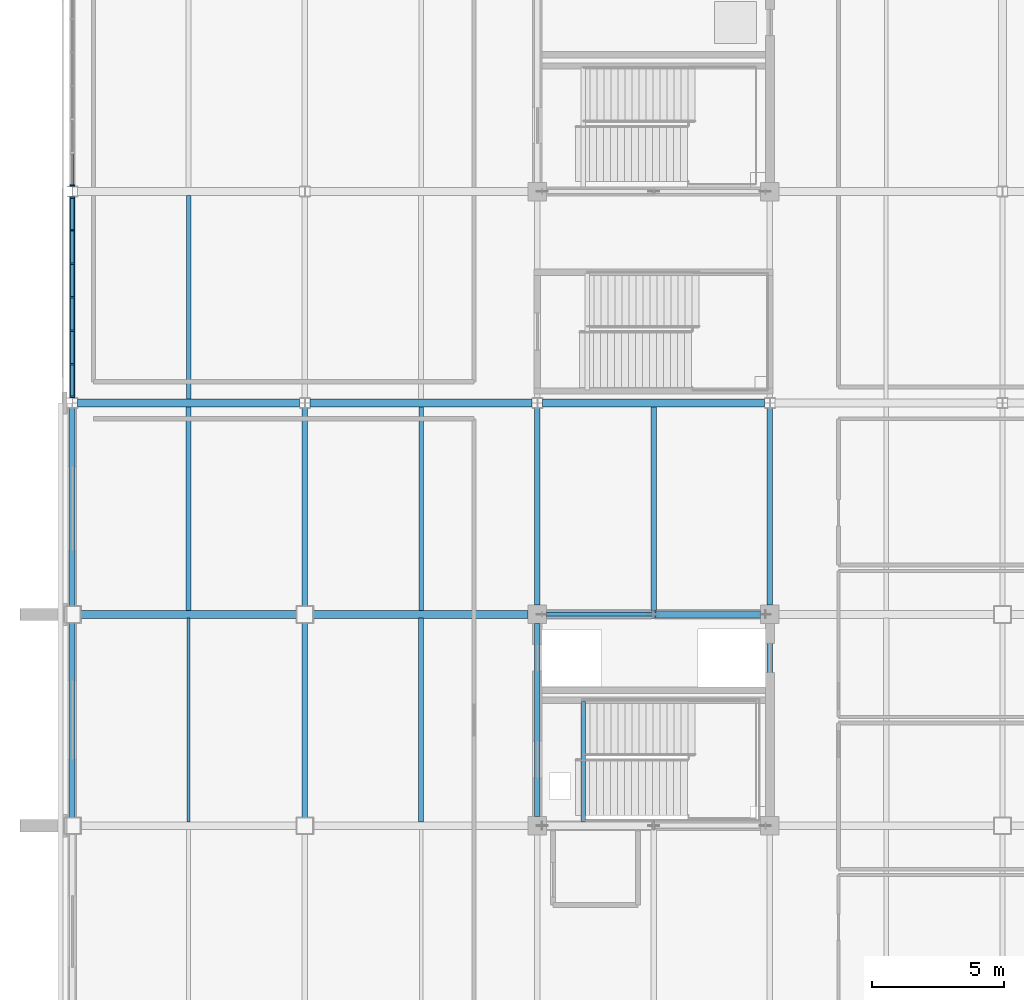
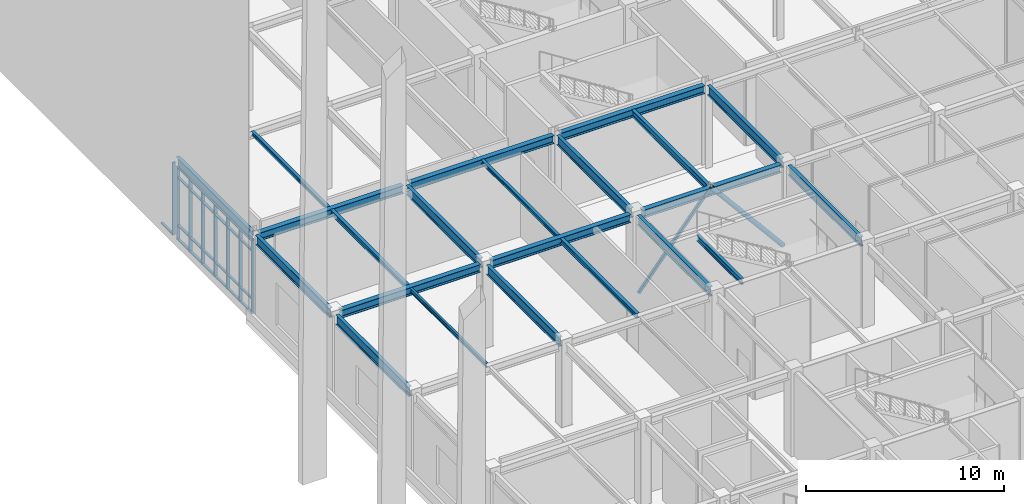
# One storey, part 40 of 119: 35 members, 22 beams, 2 elements without a shape of their own.
"""IFC4 building model written with IfcOpenShell, lengths in metres."""

from ifc_helpers import new_model, si_unit, direction, frame, origin, origin_2d, place, context, subcontext, project, spatial, rectangle, hollow_rectangle, hollow_circle, i_section, extrude, material, material_profile, profile_set, type_object, element, aggregate, save


model = new_model("IFC4")

# Units and contexts
model_context = context("Model", 3, precision=1e-05, world=origin(), true_north=direction((0.0, 1.0)))
body_context = subcontext(model_context, "Body", "Model", "MODEL_VIEW")
ifc_project = project(units=[si_unit("LENGTHUNIT", "METRE"), si_unit("AREAUNIT", "SQUARE_METRE"), si_unit("VOLUMEUNIT", "CUBIC_METRE"), si_unit("PLANEANGLEUNIT", "RADIAN"), si_unit("MASSUNIT", "GRAM", prefix="KILO")], contexts=[model_context])

# Site, building, storey
site_placement = place(None, origin())
site = spatial("IfcSite", under=ifc_project, at=site_placement, CompositionType="ELEMENT")
building_placement = place(site_placement, origin())
building = spatial("IfcBuilding", under=site, at=building_placement, Name="Zhaolan Boulevard Law Courts", CompositionType="ELEMENT")
storey_placement = place(building_placement, origin())
storey = spatial("IfcBuildingStorey", under=building, at=storey_placement, Name="L00", CompositionType="ELEMENT", Elevation=0.0)

# Members
ifc_material_1 = material(Name="Structural steel Q355B", Category="steel")
ifc_material_profile_1 = material_profile(ifc_material_1, hollow_circle(Radius=0.136474609375, WallThickness=0.010009765625, at=origin_2d()), Name="CHS273x10")
ifc_profile_set_1 = profile_set([ifc_material_profile_1], Name="Structural steel Q355B")
member_type_1 = type_object("IfcMemberType", Name="BRACE CHS273", PredefinedType="BRACE", material=ifc_profile_set_1)
member_1_placement = place(storey_placement, frame((26.219970703125, 70.0, 0.030029296875), z_axis=(-0.638239277889, 0.0, 0.769838050605), x_axis=(0.0, -1.0, 0.0)))
element("IfcMember", 1, at=member_1_placement, inside=storey, type_object=member_type_1, Name="Core Brace BR-W2-L00-N2", PredefinedType="BRACE", context=body_context, shape_type="SweptSolid", body=[
    extrude(hollow_circle(Radius=0.136474609375, WallThickness=0.010009765625, at=origin_2d()), origin(), (0.0, 0.0, 1.0), 6.61181640625),
])
ifc_material_2 = material(Name="Structural steel Q355B", Category="steel")
ifc_material_profile_2 = material_profile(ifc_material_2, hollow_rectangle(XDim=0.159912109375, YDim=0.159912109375, WallThickness=0.008056640625, InnerFilletRadius=0.008056640625, OuterFilletRadius=0.01611328125, at=origin_2d()), Name="HSS160x160x8")
ifc_profile_set_2 = profile_set([ifc_material_profile_2], Name="Structural steel Q355B")
member_type_2 = type_object("IfcMemberType", Name="BRACE HSS160", PredefinedType="BRACE", material=ifc_profile_set_2)
member_2_placement = place(storey_placement, frame((17.780029296875, 70.0, 0.030029296875), z_axis=(0.638239277889, 0.0, 0.769838050605), x_axis=(0.0, 1.0, 0.0)))
element("IfcMember", 2, at=member_2_placement, inside=storey, type_object=member_type_2, Name="Core Brace BR-W2-L00-N1", PredefinedType="BRACE", context=body_context, shape_type="SweptSolid", body=[
    extrude(hollow_rectangle(XDim=0.159912109375, YDim=0.159912109375, WallThickness=0.008056640625, InnerFilletRadius=0.008056640625, OuterFilletRadius=0.01611328125, at=origin_2d()), origin(), (0.0, 0.0, 1.0), 6.61181640625),
])

# Curtain wall, members
ifc_material_3 = material(Name="Thermally broken aluminium and low-E glazing", Category="aluminium")
curtain_wall_type_1 = type_object("IfcCurtainWallType", Name="CURTAIN WALL M4", PredefinedType="USERDEFINED", material=ifc_material_3)
curtain_wall_1_placement = place(storey_placement, origin())
curtain_wall_1 = element("IfcCurtainWall", 3, at=curtain_wall_1_placement, inside=storey, type_object=curtain_wall_type_1, Name="Curtain Wall CW-L00-100", ObjectType="CURTAIN WALL", PredefinedType="USERDEFINED")
ifc_material_4 = material(Name="Fluorocarbon-coated aluminium 6063-T6", Category="aluminium")
ifc_material_profile_3 = material_profile(ifc_material_4, rectangle(XDim=0.179931640625, YDim=0.06494140625, at=origin_2d()), Name="AL65x180")
ifc_profile_set_3 = profile_set([ifc_material_profile_3], Name="Fluorocarbon-coated aluminium 6063-T6")
member_type_3 = type_object("IfcMemberType", Name="CWMULLION 65X180", PredefinedType="MULLION", material=ifc_profile_set_3)
member_3_placement = place(storey_placement, frame((0.0, 85.765380859375, 0.0), z_axis=(0.0, 0.0, 1.0), x_axis=(1.0, 0.0, 0.0)))
member_3 = element("IfcMember", 4, at=member_3_placement, type_object=member_type_3, Name="CW-L00-100 mullion 1", PredefinedType="MULLION", context=body_context, shape_type="SweptSolid", body=[
    extrude(rectangle(XDim=0.179931640625, YDim=0.06494140625, at=origin_2d()), origin(), (0.0, 0.0, 1.0), 4.5029296875),
])
member_4_placement = place(storey_placement, frame((0.0, 84.531982421875, 0.0), z_axis=(0.0, 0.0, 1.0), x_axis=(1.0, 0.0, 0.0)))
member_4 = element("IfcMember", 5, at=member_4_placement, type_object=member_type_3, Name="CW-L00-100 mullion 2", PredefinedType="MULLION", context=body_context, shape_type="SweptSolid", body=[
    extrude(rectangle(XDim=0.179931640625, YDim=0.06494140625, at=origin_2d()), origin(), (0.0, 0.0, 1.0), 4.5029296875),
])
member_5_placement = place(storey_placement, frame((0.0, 83.26611328125, 0.0), z_axis=(0.0, 0.0, 1.0), x_axis=(1.0, 0.0, 0.0)))
member_5 = element("IfcMember", 6, at=member_5_placement, type_object=member_type_3, Name="CW-L00-100 mullion 3", PredefinedType="MULLION", context=body_context, shape_type="SweptSolid", body=[
    extrude(rectangle(XDim=0.179931640625, YDim=0.06494140625, at=origin_2d()), origin(), (0.0, 0.0, 1.0), 4.5029296875),
])
member_6_placement = place(storey_placement, frame((0.0, 82.0, 0.0), z_axis=(0.0, 0.0, 1.0), x_axis=(1.0, 0.0, 0.0)))
member_6 = element("IfcMember", 7, at=member_6_placement, type_object=member_type_3, Name="CW-L00-100 mullion 4", PredefinedType="MULLION", context=body_context, shape_type="SweptSolid", body=[
    extrude(rectangle(XDim=0.179931640625, YDim=0.06494140625, at=origin_2d()), origin(), (0.0, 0.0, 1.0), 4.5029296875),
])
member_7_placement = place(storey_placement, frame((0.0, 80.73388671875, 0.0), z_axis=(0.0, 0.0, 1.0), x_axis=(1.0, 0.0, 0.0)))
member_7 = element("IfcMember", 8, at=member_7_placement, type_object=member_type_3, Name="CW-L00-100 mullion 5", PredefinedType="MULLION", context=body_context, shape_type="SweptSolid", body=[
    extrude(rectangle(XDim=0.179931640625, YDim=0.06494140625, at=origin_2d()), origin(), (0.0, 0.0, 1.0), 4.5029296875),
])
member_8_placement = place(storey_placement, frame((0.0, 79.468017578125, 0.0), z_axis=(0.0, 0.0, 1.0), x_axis=(1.0, 0.0, 0.0)))
member_8 = element("IfcMember", 9, at=member_8_placement, type_object=member_type_3, Name="CW-L00-100 mullion 6", PredefinedType="MULLION", context=body_context, shape_type="SweptSolid", body=[
    extrude(rectangle(XDim=0.179931640625, YDim=0.06494140625, at=origin_2d()), origin(), (0.0, 0.0, 1.0), 4.5029296875),
])
member_9_placement = place(storey_placement, frame((0.0, 78.234619140625, 0.0), z_axis=(0.0, 0.0, 1.0), x_axis=(1.0, 0.0, 0.0)))
member_9 = element("IfcMember", 10, at=member_9_placement, type_object=member_type_3, Name="CW-L00-100 mullion 7", PredefinedType="MULLION", context=body_context, shape_type="SweptSolid", body=[
    extrude(rectangle(XDim=0.179931640625, YDim=0.06494140625, at=origin_2d()), origin(), (0.0, 0.0, 1.0), 4.5029296875),
])

# Curtain wall, member
ifc_material_5 = material(Name="Thermally broken aluminium and low-E glazing", Category="aluminium")
curtain_wall_type_2 = type_object("IfcCurtainWallType", Name="CURTAIN WALL M5", PredefinedType="USERDEFINED", material=ifc_material_5)
curtain_wall_2_placement = place(storey_placement, origin())
curtain_wall_2 = element("IfcCurtainWall", 11, at=curtain_wall_2_placement, inside=storey, type_object=curtain_wall_type_2, Name="Curtain Wall CW-L00-101", ObjectType="CURTAIN WALL", PredefinedType="USERDEFINED")
member_10_placement = place(storey_placement, frame((0.0, 86.234619140625, 0.0), z_axis=(0.0, 0.0, 1.0), x_axis=(1.0, 0.0, 0.0)))
member_10 = element("IfcMember", 12, at=member_10_placement, type_object=member_type_3, Name="CW-L00-101 mullion 7", PredefinedType="MULLION", context=body_context, shape_type="SweptSolid", body=[
    extrude(rectangle(XDim=0.179931640625, YDim=0.06494140625, at=origin_2d()), origin(), (0.0, 0.0, 1.0), 4.5029296875),
])

# Member
ifc_material_6 = material(Name="Fluorocarbon-coated aluminium 6063-T6", Category="aluminium")
ifc_material_profile_4 = material_profile(ifc_material_6, rectangle(XDim=0.139892578125, YDim=0.06494140625, at=origin_2d()), Name="AL65x140")
ifc_profile_set_4 = profile_set([ifc_material_profile_4], Name="Fluorocarbon-coated aluminium 6063-T6")
member_type_4 = type_object("IfcMemberType", Name="CWTRANSOM 65X140", PredefinedType="USERDEFINED", material=ifc_profile_set_4)
member_11_placement = place(storey_placement, frame((0.0, 85.73291015625, 0.032470703125), z_axis=(0.0, -1.0, 0.0), x_axis=(1.0, 0.0, 0.0)))
member_11 = element("IfcMember", 13, at=member_11_placement, type_object=member_type_4, Name="CW-L00-100 transom 1.1", ObjectType="TRANSOM", PredefinedType="USERDEFINED", context=body_context, shape_type="SweptSolid", body=[
    extrude(rectangle(XDim=0.139892578125, YDim=0.06494140625, at=origin_2d()), origin(), (0.0, 0.0, 1.0), 1.16845703125),
])

member_12_placement = place(storey_placement, frame((0.0, 85.73291015625, 0.89990234375), z_axis=(0.0, -1.0, 0.0), x_axis=(1.0, 0.0, 0.0)))
member_12 = element("IfcMember", 14, at=member_12_placement, type_object=member_type_4, Name="CW-L00-100 transom 1.2", ObjectType="TRANSOM", PredefinedType="USERDEFINED", context=body_context, shape_type="SweptSolid", body=[
    extrude(rectangle(XDim=0.139892578125, YDim=0.06494140625, at=origin_2d()), origin(), (0.0, 0.0, 1.0), 1.16845703125),
])

member_13_placement = place(storey_placement, frame((0.0, 85.73291015625, 3.85302734375), z_axis=(0.0, -1.0, 0.0), x_axis=(1.0, 0.0, 0.0)))
member_13 = element("IfcMember", 15, at=member_13_placement, type_object=member_type_4, Name="CW-L00-100 transom 1.3", ObjectType="TRANSOM", PredefinedType="USERDEFINED", context=body_context, shape_type="SweptSolid", body=[
    extrude(rectangle(XDim=0.139892578125, YDim=0.06494140625, at=origin_2d()), origin(), (0.0, 0.0, 1.0), 1.16845703125),
])

member_14_placement = place(storey_placement, frame((0.0, 85.73291015625, 4.470458984375), z_axis=(0.0, -1.0, 0.0), x_axis=(1.0, 0.0, 0.0)))
member_14 = element("IfcMember", 16, at=member_14_placement, type_object=member_type_4, Name="CW-L00-100 transom 1.4", ObjectType="TRANSOM", PredefinedType="USERDEFINED", context=body_context, shape_type="SweptSolid", body=[
    extrude(rectangle(XDim=0.139892578125, YDim=0.06494140625, at=origin_2d()), origin(), (0.0, 0.0, 1.0), 1.16845703125),
])

member_15_placement = place(storey_placement, frame((0.0, 84.49951171875, 0.032470703125), z_axis=(0.0, -1.0, 0.0), x_axis=(1.0, 0.0, 0.0)))
member_15 = element("IfcMember", 17, at=member_15_placement, type_object=member_type_4, Name="CW-L00-100 transom 2.1", ObjectType="TRANSOM", PredefinedType="USERDEFINED", context=body_context, shape_type="SweptSolid", body=[
    extrude(rectangle(XDim=0.139892578125, YDim=0.06494140625, at=origin_2d()), origin(), (0.0, 0.0, 1.0), 1.200927734375),
])

member_16_placement = place(storey_placement, frame((0.0, 84.49951171875, 0.89990234375), z_axis=(0.0, -1.0, 0.0), x_axis=(1.0, 0.0, 0.0)))
member_16 = element("IfcMember", 18, at=member_16_placement, type_object=member_type_4, Name="CW-L00-100 transom 2.2", ObjectType="TRANSOM", PredefinedType="USERDEFINED", context=body_context, shape_type="SweptSolid", body=[
    extrude(rectangle(XDim=0.139892578125, YDim=0.06494140625, at=origin_2d()), origin(), (0.0, 0.0, 1.0), 1.200927734375),
])

member_17_placement = place(storey_placement, frame((0.0, 84.49951171875, 3.85302734375), z_axis=(0.0, -1.0, 0.0), x_axis=(1.0, 0.0, 0.0)))
member_17 = element("IfcMember", 19, at=member_17_placement, type_object=member_type_4, Name="CW-L00-100 transom 2.3", ObjectType="TRANSOM", PredefinedType="USERDEFINED", context=body_context, shape_type="SweptSolid", body=[
    extrude(rectangle(XDim=0.139892578125, YDim=0.06494140625, at=origin_2d()), origin(), (0.0, 0.0, 1.0), 1.200927734375),
])

member_18_placement = place(storey_placement, frame((0.0, 84.49951171875, 4.470458984375), z_axis=(0.0, -1.0, 0.0), x_axis=(1.0, 0.0, 0.0)))
member_18 = element("IfcMember", 20, at=member_18_placement, type_object=member_type_4, Name="CW-L00-100 transom 2.4", ObjectType="TRANSOM", PredefinedType="USERDEFINED", context=body_context, shape_type="SweptSolid", body=[
    extrude(rectangle(XDim=0.139892578125, YDim=0.06494140625, at=origin_2d()), origin(), (0.0, 0.0, 1.0), 1.200927734375),
])

member_19_placement = place(storey_placement, frame((0.0, 83.2333984375, 0.032470703125), z_axis=(0.0, -1.0, 0.0), x_axis=(1.0, 0.0, 0.0)))
member_19 = element("IfcMember", 21, at=member_19_placement, type_object=member_type_4, Name="CW-L00-100 transom 3.1", ObjectType="TRANSOM", PredefinedType="USERDEFINED", context=body_context, shape_type="SweptSolid", body=[
    extrude(rectangle(XDim=0.139892578125, YDim=0.06494140625, at=origin_2d()), origin(), (0.0, 0.0, 1.0), 1.200927734375),
])

member_20_placement = place(storey_placement, frame((0.0, 83.2333984375, 0.89990234375), z_axis=(0.0, -1.0, 0.0), x_axis=(1.0, 0.0, 0.0)))
member_20 = element("IfcMember", 22, at=member_20_placement, type_object=member_type_4, Name="CW-L00-100 transom 3.2", ObjectType="TRANSOM", PredefinedType="USERDEFINED", context=body_context, shape_type="SweptSolid", body=[
    extrude(rectangle(XDim=0.139892578125, YDim=0.06494140625, at=origin_2d()), origin(), (0.0, 0.0, 1.0), 1.200927734375),
])

member_21_placement = place(storey_placement, frame((0.0, 83.2333984375, 3.85302734375), z_axis=(0.0, -1.0, 0.0), x_axis=(1.0, 0.0, 0.0)))
member_21 = element("IfcMember", 23, at=member_21_placement, type_object=member_type_4, Name="CW-L00-100 transom 3.3", ObjectType="TRANSOM", PredefinedType="USERDEFINED", context=body_context, shape_type="SweptSolid", body=[
    extrude(rectangle(XDim=0.139892578125, YDim=0.06494140625, at=origin_2d()), origin(), (0.0, 0.0, 1.0), 1.200927734375),
])

member_22_placement = place(storey_placement, frame((0.0, 83.2333984375, 4.470458984375), z_axis=(0.0, -1.0, 0.0), x_axis=(1.0, 0.0, 0.0)))
member_22 = element("IfcMember", 24, at=member_22_placement, type_object=member_type_4, Name="CW-L00-100 transom 3.4", ObjectType="TRANSOM", PredefinedType="USERDEFINED", context=body_context, shape_type="SweptSolid", body=[
    extrude(rectangle(XDim=0.139892578125, YDim=0.06494140625, at=origin_2d()), origin(), (0.0, 0.0, 1.0), 1.200927734375),
])

member_23_placement = place(storey_placement, frame((0.0, 81.967529296875, 0.032470703125), z_axis=(0.0, -1.0, 0.0), x_axis=(1.0, 0.0, 0.0)))
member_23 = element("IfcMember", 25, at=member_23_placement, type_object=member_type_4, Name="CW-L00-100 transom 4.1", ObjectType="TRANSOM", PredefinedType="USERDEFINED", context=body_context, shape_type="SweptSolid", body=[
    extrude(rectangle(XDim=0.139892578125, YDim=0.06494140625, at=origin_2d()), origin(), (0.0, 0.0, 1.0), 1.200927734375),
])

member_24_placement = place(storey_placement, frame((0.0, 81.967529296875, 0.89990234375), z_axis=(0.0, -1.0, 0.0), x_axis=(1.0, 0.0, 0.0)))
member_24 = element("IfcMember", 26, at=member_24_placement, type_object=member_type_4, Name="CW-L00-100 transom 4.2", ObjectType="TRANSOM", PredefinedType="USERDEFINED", context=body_context, shape_type="SweptSolid", body=[
    extrude(rectangle(XDim=0.139892578125, YDim=0.06494140625, at=origin_2d()), origin(), (0.0, 0.0, 1.0), 1.200927734375),
])

member_25_placement = place(storey_placement, frame((0.0, 81.967529296875, 3.85302734375), z_axis=(0.0, -1.0, 0.0), x_axis=(1.0, 0.0, 0.0)))
member_25 = element("IfcMember", 27, at=member_25_placement, type_object=member_type_4, Name="CW-L00-100 transom 4.3", ObjectType="TRANSOM", PredefinedType="USERDEFINED", context=body_context, shape_type="SweptSolid", body=[
    extrude(rectangle(XDim=0.139892578125, YDim=0.06494140625, at=origin_2d()), origin(), (0.0, 0.0, 1.0), 1.200927734375),
])

member_26_placement = place(storey_placement, frame((0.0, 81.967529296875, 4.470458984375), z_axis=(0.0, -1.0, 0.0), x_axis=(1.0, 0.0, 0.0)))
member_26 = element("IfcMember", 28, at=member_26_placement, type_object=member_type_4, Name="CW-L00-100 transom 4.4", ObjectType="TRANSOM", PredefinedType="USERDEFINED", context=body_context, shape_type="SweptSolid", body=[
    extrude(rectangle(XDim=0.139892578125, YDim=0.06494140625, at=origin_2d()), origin(), (0.0, 0.0, 1.0), 1.200927734375),
])

member_27_placement = place(storey_placement, frame((0.0, 80.701416015625, 0.032470703125), z_axis=(0.0, -1.0, 0.0), x_axis=(1.0, 0.0, 0.0)))
member_27 = element("IfcMember", 29, at=member_27_placement, type_object=member_type_4, Name="CW-L00-100 transom 5.1", ObjectType="TRANSOM", PredefinedType="USERDEFINED", context=body_context, shape_type="SweptSolid", body=[
    extrude(rectangle(XDim=0.139892578125, YDim=0.06494140625, at=origin_2d()), origin(), (0.0, 0.0, 1.0), 1.200927734375),
])

member_28_placement = place(storey_placement, frame((0.0, 80.701416015625, 0.89990234375), z_axis=(0.0, -1.0, 0.0), x_axis=(1.0, 0.0, 0.0)))
member_28 = element("IfcMember", 30, at=member_28_placement, type_object=member_type_4, Name="CW-L00-100 transom 5.2", ObjectType="TRANSOM", PredefinedType="USERDEFINED", context=body_context, shape_type="SweptSolid", body=[
    extrude(rectangle(XDim=0.139892578125, YDim=0.06494140625, at=origin_2d()), origin(), (0.0, 0.0, 1.0), 1.200927734375),
])

member_29_placement = place(storey_placement, frame((0.0, 80.701416015625, 3.85302734375), z_axis=(0.0, -1.0, 0.0), x_axis=(1.0, 0.0, 0.0)))
member_29 = element("IfcMember", 31, at=member_29_placement, type_object=member_type_4, Name="CW-L00-100 transom 5.3", ObjectType="TRANSOM", PredefinedType="USERDEFINED", context=body_context, shape_type="SweptSolid", body=[
    extrude(rectangle(XDim=0.139892578125, YDim=0.06494140625, at=origin_2d()), origin(), (0.0, 0.0, 1.0), 1.200927734375),
])

member_30_placement = place(storey_placement, frame((0.0, 80.701416015625, 4.470458984375), z_axis=(0.0, -1.0, 0.0), x_axis=(1.0, 0.0, 0.0)))
member_30 = element("IfcMember", 32, at=member_30_placement, type_object=member_type_4, Name="CW-L00-100 transom 5.4", ObjectType="TRANSOM", PredefinedType="USERDEFINED", context=body_context, shape_type="SweptSolid", body=[
    extrude(rectangle(XDim=0.139892578125, YDim=0.06494140625, at=origin_2d()), origin(), (0.0, 0.0, 1.0), 1.200927734375),
])

member_31_placement = place(storey_placement, frame((0.0, 79.435546875, 0.032470703125), z_axis=(0.0, -1.0, 0.0), x_axis=(1.0, 0.0, 0.0)))
member_31 = element("IfcMember", 33, at=member_31_placement, type_object=member_type_4, Name="CW-L00-100 transom 6.1", ObjectType="TRANSOM", PredefinedType="USERDEFINED", context=body_context, shape_type="SweptSolid", body=[
    extrude(rectangle(XDim=0.139892578125, YDim=0.06494140625, at=origin_2d()), origin(), (0.0, 0.0, 1.0), 1.16845703125),
])

member_32_placement = place(storey_placement, frame((0.0, 79.435546875, 0.89990234375), z_axis=(0.0, -1.0, 0.0), x_axis=(1.0, 0.0, 0.0)))
member_32 = element("IfcMember", 34, at=member_32_placement, type_object=member_type_4, Name="CW-L00-100 transom 6.2", ObjectType="TRANSOM", PredefinedType="USERDEFINED", context=body_context, shape_type="SweptSolid", body=[
    extrude(rectangle(XDim=0.139892578125, YDim=0.06494140625, at=origin_2d()), origin(), (0.0, 0.0, 1.0), 1.16845703125),
])

member_33_placement = place(storey_placement, frame((0.0, 79.435546875, 3.85302734375), z_axis=(0.0, -1.0, 0.0), x_axis=(1.0, 0.0, 0.0)))
member_33 = element("IfcMember", 35, at=member_33_placement, type_object=member_type_4, Name="CW-L00-100 transom 6.3", ObjectType="TRANSOM", PredefinedType="USERDEFINED", context=body_context, shape_type="SweptSolid", body=[
    extrude(rectangle(XDim=0.139892578125, YDim=0.06494140625, at=origin_2d()), origin(), (0.0, 0.0, 1.0), 1.16845703125),
])

member_34_placement = place(storey_placement, frame((0.0, 79.435546875, 4.470458984375), z_axis=(0.0, -1.0, 0.0), x_axis=(1.0, 0.0, 0.0)))
member_34 = element("IfcMember", 36, at=member_34_placement, type_object=member_type_4, Name="CW-L00-100 transom 6.4", ObjectType="TRANSOM", PredefinedType="USERDEFINED", context=body_context, shape_type="SweptSolid", body=[
    extrude(rectangle(XDim=0.139892578125, YDim=0.06494140625, at=origin_2d()), origin(), (0.0, 0.0, 1.0), 1.16845703125),
])

aggregate(curtain_wall_1, [member_3, member_4, member_5, member_6, member_7, member_8, member_9, member_11, member_12, member_13, member_14, member_15, member_16, member_17, member_18, member_19, member_20, member_21, member_22, member_23, member_24, member_25, member_26, member_27, member_28, member_29, member_30, member_31, member_32, member_33, member_34])

member_35_placement = place(storey_placement, frame((0.0, 87.435546875, 0.032470703125), z_axis=(0.0, -1.0, 0.0), x_axis=(1.0, 0.0, 0.0)))
member_35 = element("IfcMember", 37, at=member_35_placement, type_object=member_type_4, Name="CW-L00-101 transom 6.1", ObjectType="TRANSOM", PredefinedType="USERDEFINED", context=body_context, shape_type="SweptSolid", body=[
    extrude(rectangle(XDim=0.139892578125, YDim=0.06494140625, at=origin_2d()), origin(), (0.0, 0.0, 1.0), 1.16845703125),
])

aggregate(curtain_wall_2, [member_10, member_35])

# Beams
ifc_material_7 = material(Name="Structural steel Q355B", Category="steel")
ifc_material_profile_5 = material_profile(ifc_material_7, i_section(OverallWidth=0.300048828125, OverallDepth=0.488037109375, WebThickness=0.010986328125, FlangeThickness=0.01806640625, FilletRadius=0.02197265625, at=origin_2d()), Name="HM488x300")
ifc_profile_set_5 = profile_set([ifc_material_profile_5], Name="Structural steel Q355B")
beam_type_1 = type_object("IfcBeamType", Name="GIRDER HM500", PredefinedType="BEAM", material=ifc_profile_set_5)
beam_1_placement = place(storey_placement, frame((0.321044921875, 70.0, 4.89404296875), z_axis=(1.0, 0.0, 0.0), x_axis=(0.0, 1.0, 0.0)))
element("IfcBeam", 38, at=beam_1_placement, inside=storey, type_object=beam_type_1, Name="Beam BX-L01-1-2-K", PredefinedType="BEAM", context=body_context, shape_type="SweptSolid", body=[
    extrude(i_section(OverallWidth=0.300048828125, OverallDepth=0.488037109375, WebThickness=0.010986328125, FlangeThickness=0.01806640625, FilletRadius=0.02197265625, at=origin_2d()), origin(), (0.0, 0.0, 1.0), 8.157958984375),
])
beam_2_placement = place(storey_placement, frame((9.12109375, 70.0, 4.89404296875), z_axis=(1.0, 0.0, 0.0), x_axis=(0.0, 1.0, 0.0)))
element("IfcBeam", 39, at=beam_2_placement, inside=storey, type_object=beam_type_1, Name="Beam BX-L01-2-3-K", PredefinedType="BEAM", context=body_context, shape_type="SweptSolid", body=[
    extrude(i_section(OverallWidth=0.300048828125, OverallDepth=0.488037109375, WebThickness=0.010986328125, FlangeThickness=0.01806640625, FilletRadius=0.02197265625, at=origin_2d()), origin(), (0.0, 0.0, 1.0), 8.1328125),
])
beam_3_placement = place(storey_placement, frame((17.946044921875, 70.0, 4.89404296875), z_axis=(1.0, 0.0, 0.0), x_axis=(0.0, 1.0, 0.0)))
element("IfcBeam", 40, at=beam_3_placement, inside=storey, type_object=beam_type_1, Name="Beam BX-L01-3-4-K", PredefinedType="BEAM", context=body_context, shape_type="SweptSolid", body=[
    extrude(i_section(OverallWidth=0.300048828125, OverallDepth=0.488037109375, WebThickness=0.010986328125, FlangeThickness=0.01806640625, FilletRadius=0.02197265625, at=origin_2d()), origin(), (0.0, 0.0, 1.0), 8.10791015625),
])
for number, where, z_axis, x_axis, name in (
    (41, (0.196044921875, 78.0, 4.8740234375), (1.0, 0.0, 0.0), (0.0, 1.0, 0.0), "Beam BX-L01-1-2-L"),
    (42, (8.99609375, 78.0, 4.8740234375), (1.0, 0.0, 0.0), (0.0, 1.0, 0.0), "Beam BX-L01-2-3-L"),
):
    element("IfcBeam", number, at=place(storey_placement, frame(where, z_axis=z_axis, x_axis=x_axis)), inside=storey, type_object=beam_type_1, Name=name, PredefinedType="BEAM", context=body_context, shape_type="SweptSolid", body=[
        extrude(i_section(OverallWidth=0.300048828125, OverallDepth=0.488037109375, WebThickness=0.010986328125, FlangeThickness=0.01806640625, FilletRadius=0.02197265625, at=origin_2d()), origin(), (0.0, 0.0, 1.0), 8.407958984375),
    ])
beam_4_placement = place(storey_placement, frame((17.7958984375, 78.0, 4.8740234375), z_axis=(1.0, 0.0, 0.0), x_axis=(0.0, 1.0, 0.0)))
element("IfcBeam", 43, at=beam_4_placement, inside=storey, type_object=beam_type_1, Name="Beam BX-L01-3-4-L", PredefinedType="BEAM", context=body_context, shape_type="SweptSolid", body=[
    extrude(i_section(OverallWidth=0.300048828125, OverallDepth=0.488037109375, WebThickness=0.010986328125, FlangeThickness=0.01806640625, FilletRadius=0.02197265625, at=origin_2d()), origin(), (0.0, 0.0, 1.0), 8.408203125),
])
ifc_material_8 = material(Name="Structural steel Q355B", Category="steel")
ifc_material_profile_6 = material_profile(ifc_material_8, i_section(OverallWidth=0.199951171875, OverallDepth=0.60009765625, WebThickness=0.010986328125, FlangeThickness=0.01708984375, FilletRadius=0.02001953125, at=origin_2d()), Name="HN600x200")
ifc_profile_set_6 = profile_set([ifc_material_profile_6], Name="Structural steel Q355B")
beam_type_2 = type_object("IfcBeamType", Name="GIRDER HN600", PredefinedType="BEAM", material=ifc_profile_set_6)
beam_5_placement = place(storey_placement, frame((0.0, 62.321044921875, 4.837890625), z_axis=(0.0, 1.0, 0.0), x_axis=(-1.0, 0.0, 0.0)))
element("IfcBeam", 44, at=beam_5_placement, inside=storey, type_object=beam_type_2, Name="Beam BY-L01-1-J-K", PredefinedType="BEAM", context=body_context, shape_type="SweptSolid", body=[
    extrude(i_section(OverallWidth=0.199951171875, OverallDepth=0.60009765625, WebThickness=0.010986328125, FlangeThickness=0.01708984375, FilletRadius=0.02001953125, at=origin_2d()), origin(), (0.0, 0.0, 1.0), 7.35791015625),
])
beam_6_placement = place(storey_placement, frame((0.0, 70.321044921875, 4.837890625), z_axis=(0.0, 1.0, 0.0), x_axis=(-1.0, 0.0, 0.0)))
element("IfcBeam", 45, at=beam_6_placement, inside=storey, type_object=beam_type_2, Name="Beam BY-L01-1-K-L", PredefinedType="BEAM", context=body_context, shape_type="SweptSolid", body=[
    extrude(i_section(OverallWidth=0.199951171875, OverallDepth=0.60009765625, WebThickness=0.010986328125, FlangeThickness=0.01708984375, FilletRadius=0.02001953125, at=origin_2d()), origin(), (0.0, 0.0, 1.0), 7.48291015625),
])
beam_7_placement = place(storey_placement, frame((0.0, 78.196044921875, 4.818115234375), z_axis=(0.0, 1.0, 0.0), x_axis=(-1.0, 0.0, 0.0)))
element("IfcBeam", 46, at=beam_7_placement, inside=storey, type_object=beam_type_2, Name="Beam BY-L01-1-L-M", PredefinedType="BEAM", context=body_context, shape_type="SweptSolid", body=[
    extrude(i_section(OverallWidth=0.199951171875, OverallDepth=0.60009765625, WebThickness=0.010986328125, FlangeThickness=0.01708984375, FilletRadius=0.02001953125, at=origin_2d()), origin(), (0.0, 0.0, 1.0), 7.60791015625),
])
beam_8_placement = place(storey_placement, frame((8.800048828125, 62.321044921875, 4.837890625), z_axis=(0.0, 1.0, 0.0), x_axis=(-1.0, 0.0, 0.0)))
element("IfcBeam", 47, at=beam_8_placement, inside=storey, type_object=beam_type_2, Name="Beam BY-L01-2-J-K", PredefinedType="BEAM", context=body_context, shape_type="SweptSolid", body=[
    extrude(i_section(OverallWidth=0.199951171875, OverallDepth=0.60009765625, WebThickness=0.010986328125, FlangeThickness=0.01708984375, FilletRadius=0.02001953125, at=origin_2d()), origin(), (0.0, 0.0, 1.0), 7.35791015625),
])
beam_9_placement = place(storey_placement, frame((8.800048828125, 70.321044921875, 4.837890625), z_axis=(0.0, 1.0, 0.0), x_axis=(-1.0, 0.0, 0.0)))
element("IfcBeam", 48, at=beam_9_placement, inside=storey, type_object=beam_type_2, Name="Beam BY-L01-2-K-L", PredefinedType="BEAM", context=body_context, shape_type="SweptSolid", body=[
    extrude(i_section(OverallWidth=0.199951171875, OverallDepth=0.60009765625, WebThickness=0.010986328125, FlangeThickness=0.01708984375, FilletRadius=0.02001953125, at=origin_2d()), origin(), (0.0, 0.0, 1.0), 7.48291015625),
])
beam_10_placement = place(storey_placement, frame((17.60009765625, 62.345947265625, 4.837890625), z_axis=(0.0, 1.0, 0.0), x_axis=(-1.0, 0.0, 0.0)))
element("IfcBeam", 49, at=beam_10_placement, inside=storey, type_object=beam_type_2, Name="Beam BY-L01-3-J-K", PredefinedType="BEAM", context=body_context, shape_type="SweptSolid", body=[
    extrude(i_section(OverallWidth=0.199951171875, OverallDepth=0.60009765625, WebThickness=0.010986328125, FlangeThickness=0.01708984375, FilletRadius=0.02001953125, at=origin_2d()), origin(), (0.0, 0.0, 1.0), 7.30810546875),
])
beam_11_placement = place(storey_placement, frame((17.60009765625, 70.345947265625, 4.837890625), z_axis=(0.0, 1.0, 0.0), x_axis=(-1.0, 0.0, 0.0)))
element("IfcBeam", 50, at=beam_11_placement, inside=storey, type_object=beam_type_2, Name="Beam BY-L01-3-K-L", PredefinedType="BEAM", context=body_context, shape_type="SweptSolid", body=[
    extrude(i_section(OverallWidth=0.199951171875, OverallDepth=0.60009765625, WebThickness=0.010986328125, FlangeThickness=0.01708984375, FilletRadius=0.02001953125, at=origin_2d()), origin(), (0.0, 0.0, 1.0), 7.4580078125),
])
beam_12_placement = place(storey_placement, frame((26.39990234375, 62.345947265625, 4.837890625), z_axis=(0.0, 1.0, 0.0), x_axis=(-1.0, 0.0, 0.0)))
element("IfcBeam", 51, at=beam_12_placement, inside=storey, type_object=beam_type_2, Name="Beam BY-L01-4-J-K", PredefinedType="BEAM", context=body_context, shape_type="SweptSolid", body=[
    extrude(i_section(OverallWidth=0.199951171875, OverallDepth=0.60009765625, WebThickness=0.010986328125, FlangeThickness=0.01708984375, FilletRadius=0.02001953125, at=origin_2d()), origin(), (0.0, 0.0, 1.0), 7.30810546875),
])
beam_13_placement = place(storey_placement, frame((26.39990234375, 70.345947265625, 4.837890625), z_axis=(0.0, 1.0, 0.0), x_axis=(-1.0, 0.0, 0.0)))
element("IfcBeam", 52, at=beam_13_placement, inside=storey, type_object=beam_type_2, Name="Beam BY-L01-4-K-L", PredefinedType="BEAM", context=body_context, shape_type="SweptSolid", body=[
    extrude(i_section(OverallWidth=0.199951171875, OverallDepth=0.60009765625, WebThickness=0.010986328125, FlangeThickness=0.01708984375, FilletRadius=0.02001953125, at=origin_2d()), origin(), (0.0, 0.0, 1.0), 7.4580078125),
])
ifc_material_9 = material(Name="Structural steel Q355B", Category="steel")
ifc_material_profile_7 = material_profile(ifc_material_9, i_section(OverallWidth=0.175048828125, OverallDepth=0.243896484375, WebThickness=0.007080078125, FlangeThickness=0.010986328125, FilletRadius=0.012939453125, at=origin_2d()), Name="HM244x175")
ifc_profile_set_7 = profile_set([ifc_material_profile_7], Name="Structural steel Q355B")
beam_type_3 = type_object("IfcBeamType", Name="JOIST HM244", PredefinedType="JOIST", material=ifc_profile_set_7)
for number, where, z_axis, x_axis, name in (
    (53, (4.39990234375, 78.14599609375, 4.99609375), (0.0, 1.0, 0.0), (-1.0, 0.0, 0.0), "Composite Joist J-L01-1L"),
    (54, (13.199951171875, 70.14599609375, 5.01611328125), (0.0, 1.0, 0.0), (-1.0, 0.0, 0.0), "Composite Joist J-L01-2K"),
):
    element("IfcBeam", number, at=place(storey_placement, frame(where, z_axis=z_axis, x_axis=x_axis)), inside=storey, type_object=beam_type_3, Name=name, PredefinedType="JOIST", context=body_context, shape_type="SweptSolid", body=[
        extrude(i_section(OverallWidth=0.175048828125, OverallDepth=0.243896484375, WebThickness=0.007080078125, FlangeThickness=0.010986328125, FilletRadius=0.012939453125, at=origin_2d()), origin(), (0.0, 0.0, 1.0), 7.7080078125),
    ])
ifc_material_10 = material(Name="Structural steel Q355B", Category="steel")
ifc_material_profile_8 = material_profile(ifc_material_10, i_section(OverallWidth=0.199951171875, OverallDepth=0.2939453125, WebThickness=0.008056640625, FlangeThickness=0.011962890625, FilletRadius=0.01611328125, at=origin_2d()), Name="HM294x200")
ifc_profile_set_8 = profile_set([ifc_material_profile_8], Name="Structural steel Q355B")
beam_type_4 = type_object("IfcBeamType", Name="JOIST HM294", PredefinedType="JOIST", material=ifc_profile_set_8)
for number, where, z_axis, x_axis, name in (
    (55, (4.39990234375, 70.14599609375, 4.990966796875), (0.0, 1.0, 0.0), (-1.0, 0.0, 0.0), "Composite Joist J-L01-1K"),
    (56, (13.199951171875, 62.14599609375, 4.990966796875), (0.0, 1.0, 0.0), (-1.0, 0.0, 0.0), "Composite Joist J-L01-2J"),
):
    element("IfcBeam", number, at=place(storey_placement, frame(where, z_axis=z_axis, x_axis=x_axis)), inside=storey, type_object=beam_type_4, Name=name, PredefinedType="JOIST", context=body_context, shape_type="SweptSolid", body=[
        extrude(i_section(OverallWidth=0.199951171875, OverallDepth=0.2939453125, WebThickness=0.008056640625, FlangeThickness=0.011962890625, FilletRadius=0.01611328125, at=origin_2d()), origin(), (0.0, 0.0, 1.0), 7.7080078125),
    ])
ifc_material_11 = material(Name="Structural steel Q355B", Category="steel")
ifc_material_profile_9 = material_profile(ifc_material_11, i_section(OverallWidth=0.125, OverallDepth=0.25, WebThickness=0.006103515625, FlangeThickness=0.009033203125, FilletRadius=0.010009765625, at=origin_2d()), Name="HN250x125")
ifc_profile_set_9 = profile_set([ifc_material_profile_9], Name="Structural steel Q355B")
beam_type_5 = type_object("IfcBeamType", Name="JOIST HN250", PredefinedType="JOIST", material=ifc_profile_set_9)
beam_14_placement = place(storey_placement, frame((4.39990234375, 62.14599609375, 5.012939453125), z_axis=(0.0, 1.0, 0.0), x_axis=(-1.0, 0.0, 0.0)))
element("IfcBeam", 57, at=beam_14_placement, inside=storey, type_object=beam_type_5, Name="Composite Joist J-L01-1J", PredefinedType="JOIST", context=body_context, shape_type="SweptSolid", body=[
    extrude(i_section(OverallWidth=0.125, OverallDepth=0.25, WebThickness=0.006103515625, FlangeThickness=0.009033203125, FilletRadius=0.010009765625, at=origin_2d()), origin(), (0.0, 0.0, 1.0), 7.7080078125),
])
ifc_material_12 = material(Name="Structural steel Q355B", Category="steel")
ifc_material_profile_10 = material_profile(ifc_material_12, i_section(OverallWidth=0.199951171875, OverallDepth=0.39990234375, WebThickness=0.008056640625, FlangeThickness=0.012939453125, FilletRadius=0.013916015625, at=origin_2d()), Name="HN400x200")
ifc_profile_set_10 = profile_set([ifc_material_profile_10], Name="Structural steel Q355B")
beam_type_6 = type_object("IfcBeamType", Name="JOIST HN400", PredefinedType="JOIST", material=ifc_profile_set_10)
beam_15_placement = place(storey_placement, frame((22.0, 70.14599609375, 4.93798828125), z_axis=(0.0, 1.0, 0.0), x_axis=(-1.0, 0.0, 0.0)))
element("IfcBeam", 58, at=beam_15_placement, inside=storey, type_object=beam_type_6, Name="Composite Joist J-L01-3K", PredefinedType="JOIST", context=body_context, shape_type="SweptSolid", body=[
    extrude(i_section(OverallWidth=0.199951171875, OverallDepth=0.39990234375, WebThickness=0.008056640625, FlangeThickness=0.012939453125, FilletRadius=0.013916015625, at=origin_2d()), origin(), (0.0, 0.0, 1.0), 7.7080078125),
])
ifc_material_13 = material(Name="Structural steel Q355B", Category="steel")
ifc_material_profile_11 = material_profile(ifc_material_13, i_section(OverallWidth=0.175048828125, OverallDepth=0.35009765625, WebThickness=0.007080078125, FlangeThickness=0.010986328125, FilletRadius=0.012939453125, at=origin_2d()), Name="HN350x175")
ifc_profile_set_11 = profile_set([ifc_material_profile_11], Name="Structural steel Q355B")
beam_type_7 = type_object("IfcBeamType", Name="STAIR TRIMMER HN350", PredefinedType="BEAM", material=ifc_profile_set_11)
beam_16_placement = place(storey_placement, frame((19.3349609375, 62.1650390625, 4.93505859375), z_axis=(0.0, 1.0, 0.0), x_axis=(-1.0, 0.0, 0.0)))
element("IfcBeam", 59, at=beam_16_placement, inside=storey, type_object=beam_type_7, Name="Stair Landing Trimmer Beam STB-ST02-L01", PredefinedType="BEAM", context=body_context, shape_type="SweptSolid", body=[
    extrude(i_section(OverallWidth=0.175048828125, OverallDepth=0.35009765625, WebThickness=0.007080078125, FlangeThickness=0.010986328125, FilletRadius=0.012939453125, at=origin_2d()), origin(), (0.0, 0.0, 1.0), 4.544921875),
])

save(model, "model.ifc")
